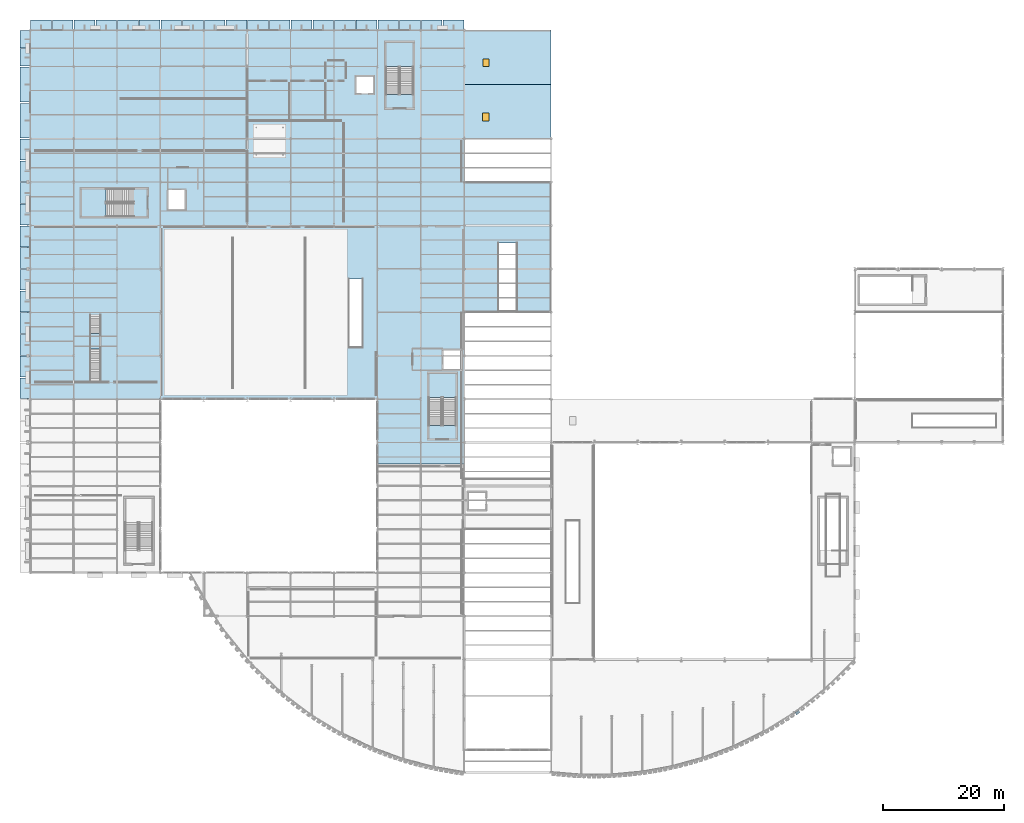
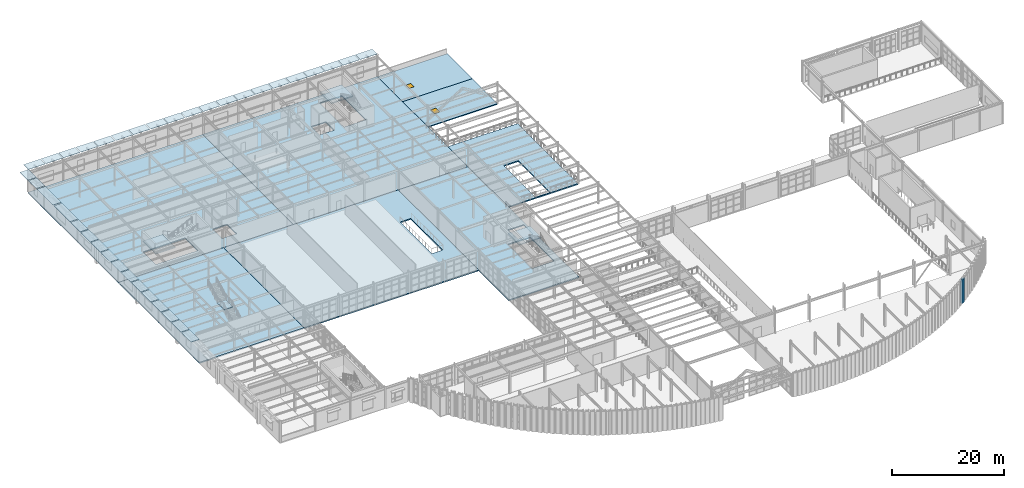
# One storey, part 94 of 126: 37 plates, 12 slabs, 2 doors, 2 openings, 4 elements without a shape of their own.
"""IFC4 building model written with IfcOpenShell, lengths in metres."""

from ifc_helpers import new_model, si_unit, direction, frame, origin, origin_2d, place, context, subcontext, project, spatial, polyline, rectangle, outline, extrude, material, layer, layer_set, type_object, element, fill, aggregate, save


model = new_model("IFC4")

# Units and contexts
model_context = context("Model", 3, precision=1e-05, world=origin(), true_north=direction((0.0, 1.0)))
body_context = subcontext(model_context, "Body", "Model", "MODEL_VIEW")
ifc_project = project(units=[si_unit("LENGTHUNIT", "METRE"), si_unit("AREAUNIT", "SQUARE_METRE"), si_unit("VOLUMEUNIT", "CUBIC_METRE"), si_unit("PLANEANGLEUNIT", "RADIAN"), si_unit("MASSUNIT", "GRAM", prefix="KILO")], contexts=[model_context])

# Site, building, storey
site_placement = place(None, origin())
site = spatial("IfcSite", under=ifc_project, at=site_placement, CompositionType="ELEMENT")
building_placement = place(site_placement, origin())
building = spatial("IfcBuilding", under=site, at=building_placement, Name="Solvadek Multi-Sports Hall", CompositionType="ELEMENT")
storey_placement = place(building_placement, frame((0.0, 0.0, 9.60009765625)))
storey = spatial("IfcBuildingStorey", under=building, at=storey_placement, Name="L02", CompositionType="ELEMENT", Elevation=9.60009765625)

# Plates
ifc_material_1 = material(Name="Perforated champagne-bronze anodised aluminium", Category="aluminium")
ifc_layer_1 = layer(ifc_material_1, 0.419921875, Name="Perforated champagne-bronze anodised aluminium")
ifc_layer_set_1 = layer_set([ifc_layer_1], Name="Perforated champagne-bronze anodised aluminium")
plate_type_1 = type_object("IfcPlateType", Name="ENV-FLT-520", PredefinedType="USERDEFINED", material=ifc_layer_set_1)
plate_placement = place(storey_placement, frame((127.315185546875, -2.798828125, 0.0400390625), z_axis=(0.0, 0.0, 1.0), x_axis=(0.812061184697, 0.583572302554, 0.0)))
element("IfcPlate", 1, at=plate_placement, inside=storey, type_object=plate_type_1, Name="L02 Half-Cylinder Colonnade Flute #207", ObjectType="FLANGED_SHEET", PredefinedType="USERDEFINED", context=body_context, shape_type="SweptSolid", body=[
    extrude(rectangle(XDim=0.719970703125, YDim=0.419921875, at=origin_2d()), origin(), (0.0, 0.0, 1.0), 5.199951171875),
])
ifc_material_2 = material(Name="Teak hardwood timber", Category="wood")
ifc_layer_2 = layer(ifc_material_2, 0.080078125, Name="Teak hardwood timber")
ifc_layer_set_2 = layer_set([ifc_layer_2], Name="Teak hardwood timber")
plate_type_2 = type_object("IfcPlateType", Name="ENV-SHT-EAV2", PredefinedType="SHEET", material=ifc_layer_set_2)
for number, where, z_axis, x_axis, name in (
    (2, (-0.820068359375, 51.0, 4.89990234375), (0.0, 0.0, 1.0), (1.0, 0.0, 0.0), "West Overhanging Sacak Eave Panel #5"),
    (3, (-0.820068359375, 54.60009765625, 4.89990234375), (0.0, 0.0, 1.0), (1.0, 0.0, 0.0), "West Overhanging Sacak Eave Panel #5"),
    (4, (-0.820068359375, 58.199951171875, 4.89990234375), (0.0, 0.0, 1.0), (1.0, 0.0, 0.0), "West Overhanging Sacak Eave Panel #6"),
    (5, (-0.820068359375, 61.800048828125, 4.89990234375), (0.0, 0.0, 1.0), (1.0, 0.0, 0.0), "West Overhanging Sacak Eave Panel #6"),
    (6, (-0.820068359375, 65.39990234375, 4.89990234375), (0.0, 0.0, 1.0), (1.0, 0.0, 0.0), "West Overhanging Sacak Eave Panel #7"),
    (7, (-0.820068359375, 69.0, 4.89990234375), (0.0, 0.0, 1.0), (1.0, 0.0, 0.0), "West Overhanging Sacak Eave Panel #7"),
    (8, (-0.820068359375, 72.60009765625, 4.89990234375), (0.0, 0.0, 1.0), (1.0, 0.0, 0.0), "West Overhanging Sacak Eave Panel #8"),
    (9, (-0.820068359375, 76.199951171875, 4.89990234375), (0.0, 0.0, 1.0), (1.0, 0.0, 0.0), "West Overhanging Sacak Eave Panel #8"),
    (10, (-0.820068359375, 79.800048828125, 4.89990234375), (0.0, 0.0, 1.0), (1.0, 0.0, 0.0), "West Overhanging Sacak Eave Panel #9"),
    (11, (-0.820068359375, 83.39990234375, 4.89990234375), (0.0, 0.0, 1.0), (1.0, 0.0, 0.0), "West Overhanging Sacak Eave Panel #9"),
    (12, (-0.820068359375, 87.0, 4.89990234375), (0.0, 0.0, 1.0), (1.0, 0.0, 0.0), "West Overhanging Sacak Eave Panel #10"),
    (13, (-0.820068359375, 90.60009765625, 4.89990234375), (0.0, 0.0, 1.0), (1.0, 0.0, 0.0), "West Overhanging Sacak Eave Panel #10"),
):
    element("IfcPlate", number, at=place(storey_placement, frame(where, z_axis=z_axis, x_axis=x_axis)), inside=storey, type_object=plate_type_2, Name=name, PredefinedType="SHEET", context=body_context, shape_type="SweptSolid", body=[
        extrude(rectangle(XDim=1.75, YDim=3.4560546875, at=origin_2d()), origin(), (0.0, 0.0, 1.0), 0.080078125),
    ])
for number, where, z_axis, x_axis, name in (
    (14, (-0.820068359375, 95.39990234375, 4.89990234375), (0.0, 0.0, 1.0), (1.0, 0.0, 0.0), "West Overhanging Sacak Eave Panel #11"),
    (15, (-0.820068359375, 101.39990234375, 4.89990234375), (0.0, 0.0, 1.0), (1.0, 0.0, 0.0), "West Overhanging Sacak Eave Panel #11"),
):
    element("IfcPlate", number, at=place(storey_placement, frame(where, z_axis=z_axis, x_axis=x_axis)), inside=storey, type_object=plate_type_2, Name=name, PredefinedType="SHEET", context=body_context, shape_type="SweptSolid", body=[
        extrude(rectangle(XDim=1.75, YDim=5.760009765625, at=origin_2d()), origin(), (0.0, 0.0, 1.0), 0.080078125),
    ])
for number, where, z_axis, x_axis, name in (
    (16, (-0.820068359375, 105.89990234375, 4.89990234375), (0.0, 0.0, 1.0), (1.0, 0.0, 0.0), "West Overhanging Sacak Eave Panel #12"),
    (17, (-0.820068359375, 108.89990234375, 4.89990234375), (0.0, 0.0, 1.0), (1.0, 0.0, 0.0), "West Overhanging Sacak Eave Panel #12"),
):
    element("IfcPlate", number, at=place(storey_placement, frame(where, z_axis=z_axis, x_axis=x_axis)), inside=storey, type_object=plate_type_2, Name=name, PredefinedType="SHEET", context=body_context, shape_type="SweptSolid", body=[
        extrude(rectangle(XDim=1.75, YDim=2.8798828125, at=origin_2d()), origin(), (0.0, 0.0, 1.0), 0.080078125),
    ])
for number, where, z_axis, x_axis, name in (
    (18, (1.800048828125, 111.219970703125, 4.89990234375), (0.0, 0.0, 1.0), (1.0, 0.0, 0.0), "North Overhanging Sacak Eave Panel #1"),
    (19, (5.39990234375, 111.219970703125, 4.89990234375), (0.0, 0.0, 1.0), (1.0, 0.0, 0.0), "North Overhanging Sacak Eave Panel #1"),
    (20, (9.0, 111.219970703125, 4.89990234375), (0.0, 0.0, 1.0), (1.0, 0.0, 0.0), "North Overhanging Sacak Eave Panel #2"),
    (21, (12.60009765625, 111.219970703125, 4.89990234375), (0.0, 0.0, 1.0), (1.0, 0.0, 0.0), "North Overhanging Sacak Eave Panel #2"),
    (22, (16.199951171875, 111.219970703125, 4.89990234375), (0.0, 0.0, 1.0), (1.0, 0.0, 0.0), "North Overhanging Sacak Eave Panel #3"),
    (23, (19.800048828125, 111.219970703125, 4.89990234375), (0.0, 0.0, 1.0), (1.0, 0.0, 0.0), "North Overhanging Sacak Eave Panel #3"),
    (24, (23.39990234375, 111.219970703125, 4.89990234375), (0.0, 0.0, 1.0), (1.0, 0.0, 0.0), "North Overhanging Sacak Eave Panel #4"),
    (25, (27.0, 111.219970703125, 4.89990234375), (0.0, 0.0, 1.0), (1.0, 0.0, 0.0), "North Overhanging Sacak Eave Panel #4"),
    (26, (30.60009765625, 111.219970703125, 4.89990234375), (0.0, 0.0, 1.0), (1.0, 0.0, 0.0), "North Overhanging Sacak Eave Panel #5"),
    (27, (34.199951171875, 111.219970703125, 4.89990234375), (0.0, 0.0, 1.0), (1.0, 0.0, 0.0), "North Overhanging Sacak Eave Panel #5"),
    (28, (37.800048828125, 111.219970703125, 4.89990234375), (0.0, 0.0, 1.0), (1.0, 0.0, 0.0), "North Overhanging Sacak Eave Panel #6"),
    (29, (41.39990234375, 111.219970703125, 4.89990234375), (0.0, 0.0, 1.0), (1.0, 0.0, 0.0), "North Overhanging Sacak Eave Panel #6"),
    (30, (45.0, 111.219970703125, 4.89990234375), (0.0, 0.0, 1.0), (1.0, 0.0, 0.0), "North Overhanging Sacak Eave Panel #7"),
    (31, (48.60009765625, 111.219970703125, 4.89990234375), (0.0, 0.0, 1.0), (1.0, 0.0, 0.0), "North Overhanging Sacak Eave Panel #7"),
    (32, (52.199951171875, 111.219970703125, 4.89990234375), (0.0, 0.0, 1.0), (1.0, 0.0, 0.0), "North Overhanging Sacak Eave Panel #8"),
    (33, (55.800048828125, 111.219970703125, 4.89990234375), (0.0, 0.0, 1.0), (1.0, 0.0, 0.0), "North Overhanging Sacak Eave Panel #8"),
    (34, (59.39990234375, 111.219970703125, 4.89990234375), (0.0, 0.0, 1.0), (1.0, 0.0, 0.0), "North Overhanging Sacak Eave Panel #9"),
    (35, (63.0, 111.219970703125, 4.89990234375), (0.0, 0.0, 1.0), (1.0, 0.0, 0.0), "North Overhanging Sacak Eave Panel #9"),
    (36, (66.60009765625, 111.219970703125, 4.89990234375), (0.0, 0.0, 1.0), (1.0, 0.0, 0.0), "North Overhanging Sacak Eave Panel #10"),
    (37, (70.199951171875, 111.219970703125, 4.89990234375), (0.0, 0.0, 1.0), (1.0, 0.0, 0.0), "North Overhanging Sacak Eave Panel #10"),
):
    element("IfcPlate", number, at=place(storey_placement, frame(where, z_axis=z_axis, x_axis=x_axis)), inside=storey, type_object=plate_type_2, Name=name, PredefinedType="SHEET", context=body_context, shape_type="SweptSolid", body=[
        extrude(rectangle(XDim=3.4560546875, YDim=1.75, at=origin_2d()), origin(), (0.0, 0.0, 1.0), 0.080078125),
    ])

# Stair, slab
ifc_material_3 = material(Name="Concrete M35", Category="concrete")
stair_type_1 = type_object("IfcStairType", Name="INT-STR-DOG220", PredefinedType="USERDEFINED", material=ifc_material_3)
stair_1_placement = place(storey_placement, origin())
stair_1 = element("IfcStair", 38, at=stair_1_placement, inside=storey, type_object=stair_type_1, Name="L02 Exit Stair Core ST-02 (NW Track Headhouse)", ObjectType="TWO_RUN_STAIR", PredefinedType="USERDEFINED")
ifc_layer_3 = layer(ifc_material_3, 0.199951171875, Name="Concrete M35")
ifc_layer_set_3 = layer_set([ifc_layer_3], Name="Concrete M35")
slab_type_1 = type_object("IfcSlabType", Name="INT-LND-RC200", PredefinedType="LANDING", material=ifc_layer_set_3)
slab_1_placement = place(storey_placement, frame((0.0, 0.0, 2.199951171875)))
slab_1 = element("IfcSlab", 39, at=slab_1_placement, type_object=slab_type_1, Name="ST-02 landing 1", PredefinedType="LANDING", context=body_context, shape_type="SweptSolid", body=[
    extrude(outline(polyline([(12.550048828125, 84.050048828125), (8.5, 84.050048828125), (8.5, 79.5), (12.550048828125, 79.5), (12.550048828125, 84.050048828125)])), origin(), (0.0, 0.0, 1.0), 0.199951171875),
])
aggregate(stair_1, [slab_1])

stair_2_placement = place(storey_placement, origin())
stair_2 = element("IfcStair", 40, at=stair_2_placement, inside=storey, type_object=stair_type_1, Name="L02 Exit Stair Core ST-03 (North Avenue Podium)", ObjectType="TWO_RUN_STAIR", PredefinedType="USERDEFINED")
slab_2_placement = place(storey_placement, frame((0.0, 0.0, 2.199951171875)))
slab_2 = element("IfcSlab", 41, at=slab_2_placement, type_object=slab_type_1, Name="ST-03 landing 1", PredefinedType="LANDING", context=body_context, shape_type="SweptSolid", body=[
    extrude(outline(polyline([(63.550048828125, 104.35009765625), (63.550048828125, 108.39990234375), (59.0, 108.39990234375), (59.0, 104.35009765625), (63.550048828125, 104.35009765625)])), origin(), (0.0, 0.0, 1.0), 0.199951171875),
])
aggregate(stair_2, [slab_2])

stair_3_placement = place(storey_placement, origin())
stair_3 = element("IfcStair", 42, at=stair_3_placement, inside=storey, type_object=stair_type_1, Name="L02 Exit Stair Core ST-04 (Central Passage West)", ObjectType="TWO_RUN_STAIR", PredefinedType="USERDEFINED")
slab_3_placement = place(storey_placement, frame((0.0, 0.0, 2.199951171875)))
slab_3 = element("IfcSlab", 43, at=slab_3_placement, type_object=slab_type_1, Name="ST-04 landing 1", PredefinedType="LANDING", context=body_context, shape_type="SweptSolid", body=[
    extrude(outline(polyline([(70.64990234375, 49.449951171875), (70.64990234375, 53.5), (66.10009765625, 53.5), (66.10009765625, 49.449951171875), (70.64990234375, 49.449951171875)])), origin(), (0.0, 0.0, 1.0), 0.199951171875),
])
aggregate(stair_3, [slab_3])

stair_type_2 = type_object("IfcStairType", Name="INT-STR-VOM180", PredefinedType="STRAIGHT_RUN_STAIR", material=ifc_material_3)
stair_4_placement = place(storey_placement, origin())
stair_4 = element("IfcStair", 44, at=stair_4_placement, inside=storey, type_object=stair_type_2, Name="L02 Monumental and Access Stair ST-14", PredefinedType="STRAIGHT_RUN_STAIR")
slab_4_placement = place(storey_placement, frame((0.0, 0.0, 2.7998046875)))
slab_4 = element("IfcSlab", 45, at=slab_4_placement, type_object=slab_type_1, Name="ST-14 landing 1", PredefinedType="LANDING", context=body_context, shape_type="SweptSolid", body=[
    extrude(outline(polyline([(11.699951171875, 57.52001953125), (11.699951171875, 60.080078125), (9.89990234375, 60.080078125), (9.89990234375, 57.52001953125), (11.699951171875, 57.52001953125)])), origin(), (0.0, 0.0, 1.0), 0.2001953125),
])
aggregate(stair_4, [slab_4])

# Slabs
ifc_layer_4 = layer(ifc_material_3, 0.199951171875, Name="Concrete M35")
ifc_layer_set_4 = layer_set([ifc_layer_4], Name="Concrete M35")
slab_type_2 = type_object("IfcSlabType", Name="STR-SLB-FLR200", PredefinedType="FLOOR", material=ifc_layer_set_4)
slab_5_placement = place(storey_placement, frame((0.0, 0.0, -0.239990234375)))
element("IfcSlab", 46, at=slab_5_placement, inside=storey, type_object=slab_type_2, Name="L02 Second Floor Slab #83", PredefinedType="FLOOR", context=body_context, shape_type="SweptSolid", body=[
    extrude(outline(polyline([(72.0, 78.0), (72.0, 85.199951171875), (86.39990234375, 85.199951171875), (86.39990234375, 63.60009765625), (72.0, 63.60009765625), (72.0, 78.0)]), holes=[polyline([(80.699951171875, 63.800048828125), (80.699951171875, 75.1201171875), (77.699951171875, 75.1201171875), (77.699951171875, 63.800048828125), (80.699951171875, 63.800048828125)])]), origin(), (0.0, 0.0, 1.0), 0.239990234375),
])
ifc_layer_5 = layer(ifc_material_3, 0.239990234375, Name="Concrete M35")
ifc_layer_set_5 = layer_set([ifc_layer_5], Name="Concrete M35")
slab_type_3 = type_object("IfcSlabType", Name="STR-SLB-FLR240", PredefinedType="FLOOR", material=ifc_layer_set_5)
slab_6_placement = place(storey_placement, frame((0.0, 0.0, -0.239990234375)))
element("IfcSlab", 47, at=slab_6_placement, inside=storey, type_object=slab_type_3, Name="L02 Second Floor Slab #75", PredefinedType="FLOOR", context=body_context, shape_type="SweptSolid", body=[
    extrude(outline(polyline([(0.0, 77.780029296875), (0.219970703125, 78.0), (21.60009765625, 78.0), (21.60009765625, 49.419921875), (21.3798828125, 49.199951171875), (14.39990234375, 49.199951171875), (0.219970703125, 49.199951171875), (0.0, 49.199951171875), (0.0, 77.780029296875)])), origin(), (0.0, 0.0, 1.0), 0.239990234375),
])
slab_7_placement = place(storey_placement, frame((0.0, 0.0, -0.239990234375)))
element("IfcSlab", 48, at=slab_7_placement, inside=storey, type_object=slab_type_3, Name="L02 Second Floor Slab #77", PredefinedType="FLOOR", context=body_context, shape_type="SweptSolid", body=[
    extrude(outline(polyline([(21.60009765625, 49.419921875), (21.60009765625, 78.0), (57.60009765625, 78.0), (57.60009765625, 49.199951171875), (21.60009765625, 49.199951171875), (21.60009765625, 49.419921875)]), holes=[polyline([(55.10009765625, 57.800048828125), (55.10009765625, 69.1201171875), (52.89990234375, 69.1201171875), (52.89990234375, 57.800048828125), (55.10009765625, 57.800048828125)])]), origin(), (0.0, 0.0, 1.0), 0.239990234375),
])
slab_8_placement = place(storey_placement, frame((0.0, 0.0, -0.239990234375)))
element("IfcSlab", 49, at=slab_8_placement, inside=storey, type_object=slab_type_3, Name="L02 Second Floor Slab #79", PredefinedType="FLOOR", context=body_context, shape_type="SweptSolid", body=[
    extrude(outline(polyline([(57.60009765625, 49.199951171875), (57.60009765625, 78.0), (72.0, 78.0), (72.0, 38.39990234375), (57.820068359375, 38.39990234375), (57.60009765625, 38.39990234375), (57.60009765625, 49.199951171875)]), holes=[polyline([(71.60009765625, 54.0), (71.60009765625, 57.39990234375), (68.39990234375, 57.39990234375), (68.39990234375, 54.0), (71.60009765625, 54.0)]), polyline([(70.64990234375, 53.5), (66.10009765625, 53.5), (66.10009765625, 44.844970703125), (70.64990234375, 44.844970703125), (70.64990234375, 53.5)])]), origin(), (0.0, 0.0, 1.0), 0.239990234375),
])
slab_9_placement = place(storey_placement, frame((0.0, 0.0, -0.239990234375)))
element("IfcSlab", 50, at=slab_9_placement, inside=storey, type_object=slab_type_3, Name="L02 Second Floor Slab #80", PredefinedType="FLOOR", context=body_context, shape_type="SweptSolid", body=[
    extrude(outline(polyline([(0.0, 110.39990234375), (36.0, 110.39990234375), (36.0, 78.0), (21.60009765625, 78.0), (0.219970703125, 78.0), (0.0, 78.0), (0.0, 110.39990234375)]), holes=[polyline([(25.800048828125, 80.60009765625), (25.800048828125, 84.0), (22.800048828125, 84.0), (22.800048828125, 80.60009765625), (25.800048828125, 80.60009765625)]), polyline([(8.5, 84.050048828125), (8.5, 79.5), (17.155029296875, 79.5), (17.155029296875, 84.050048828125), (8.5, 84.050048828125)])]), origin(), (0.0, 0.0, 1.0), 0.239990234375),
])
slab_10_placement = place(storey_placement, frame((0.0, 0.0, -0.239990234375)))
element("IfcSlab", 51, at=slab_10_placement, inside=storey, type_object=slab_type_3, Name="L02 Second Floor Slab #81", PredefinedType="FLOOR", context=body_context, shape_type="SweptSolid", body=[
    extrude(outline(polyline([(36.0, 110.39990234375), (72.0, 110.39990234375), (72.0, 78.0), (57.60009765625, 78.0), (36.0, 78.0), (36.0, 110.39990234375)]), holes=[polyline([(63.550048828125, 108.39990234375), (59.0, 108.39990234375), (59.0, 99.7451171875), (63.550048828125, 99.7451171875), (63.550048828125, 108.39990234375)]), polyline([(57.0, 99.800048828125), (57.0, 102.800048828125), (54.0, 102.800048828125), (54.0, 99.800048828125), (57.0, 99.800048828125)])]), origin(), (0.0, 0.0, 1.0), 0.239990234375),
])

# Slab, opening, door
ifc_layer_6 = layer(ifc_material_3, 0.199951171875, Name="Concrete M35")
ifc_layer_set_6 = layer_set([ifc_layer_6], Name="Concrete M35")
slab_type_4 = type_object("IfcSlabType", Name="STR-SLB-ROOF200", PredefinedType="ROOF", material=ifc_layer_set_6)
slab_11_placement = place(storey_placement, frame((0.0, 0.0, -0.239990234375)))
slab_11 = element("IfcSlab", 52, at=slab_11_placement, inside=storey, type_object=slab_type_4, Name="L02 Low Wing Flat Roof #90", PredefinedType="ROOF", context=body_context, shape_type="SweptSolid", body=[
    extrude(outline(polyline([(72.0, 101.39990234375), (86.39990234375, 101.39990234375), (86.39990234375, 92.39990234375), (72.0, 92.39990234375), (72.0, 101.39990234375)])), origin(), (0.0, 0.0, 1.0), 0.199951171875),
])
opening_1_placement = place(slab_11_placement, frame((75.60009765625, 96.0, 0.0)))
opening_1 = element("IfcOpeningElement", 53, at=opening_1_placement, cuts=slab_11, Name="Opening RH-01", PredefinedType="OPENING", context=body_context, shape_type="SweptSolid", body=[
    extrude(rectangle(XDim=1.10009765625, YDim=1.39990234375, at=origin_2d()), frame((0.0, 0.0, -0.02001953125)), (0.0, 0.0, 1.0), 0.239990234375),
])
ifc_material_4 = material(Name="Anodised aluminium", Category="aluminium")
door_type_1 = type_object("IfcDoorType", Name="ENV-DOR-HT110X140", OperationType="SINGLE_SWING_LEFT", PredefinedType="TRAPDOOR", material=ifc_material_4)
door_1_placement = place(opening_1_placement, frame((0.0, 0.0, 0.14990234375)))
door_1 = element("IfcDoor", 54, at=door_1_placement, inside=storey, type_object=door_type_1, Name="Roof Maintenance Access Hatch #1", OperationType="SINGLE_SWING_LEFT", OverallHeight=1.39990234375, OverallWidth=1.10009765625, PredefinedType="TRAPDOOR", context=body_context, shape_type="SweptSolid", body=[
    extrude(rectangle(XDim=1.10009765625, YDim=1.39990234375, at=origin_2d()), origin(), (0.0, 0.0, 1.0), 0.050048828125),
])
fill(opening_1, door_1)

slab_12_placement = place(storey_placement, frame((0.0, 0.0, -0.239990234375)))
slab_12 = element("IfcSlab", 55, at=slab_12_placement, inside=storey, type_object=slab_type_4, Name="L02 Low Wing Flat Roof #91", PredefinedType="ROOF", context=body_context, shape_type="SweptSolid", body=[
    extrude(outline(polyline([(72.0, 110.39990234375), (86.39990234375, 110.39990234375), (86.39990234375, 101.39990234375), (72.0, 101.39990234375), (72.0, 110.39990234375)])), origin(), (0.0, 0.0, 1.0), 0.199951171875),
])
opening_2_placement = place(slab_12_placement, frame((75.60009765625, 105.0, 0.0)))
opening_2 = element("IfcOpeningElement", 56, at=opening_2_placement, cuts=slab_12, Name="Opening RH-02", PredefinedType="OPENING", context=body_context, shape_type="SweptSolid", body=[
    extrude(rectangle(XDim=1.0, YDim=1.199951171875, at=origin_2d()), frame((0.0, 0.0, -0.02001953125)), (0.0, 0.0, 1.0), 0.239990234375),
])
door_type_2 = type_object("IfcDoorType", Name="ENV-DOR-HT100X120", OperationType="SINGLE_SWING_LEFT", PredefinedType="TRAPDOOR", material=ifc_material_4)
door_2_placement = place(opening_2_placement, frame((0.0, 0.0, 0.14990234375)))
door_2 = element("IfcDoor", 57, at=door_2_placement, inside=storey, type_object=door_type_2, Name="Roof Maintenance Access Hatch #2", OperationType="SINGLE_SWING_LEFT", OverallHeight=1.199951171875, OverallWidth=1.0, PredefinedType="TRAPDOOR", context=body_context, shape_type="SweptSolid", body=[
    extrude(rectangle(XDim=1.0, YDim=1.199951171875, at=origin_2d()), origin(), (0.0, 0.0, 1.0), 0.050048828125),
])
fill(opening_2, door_2)

save(model, "model.ifc")
